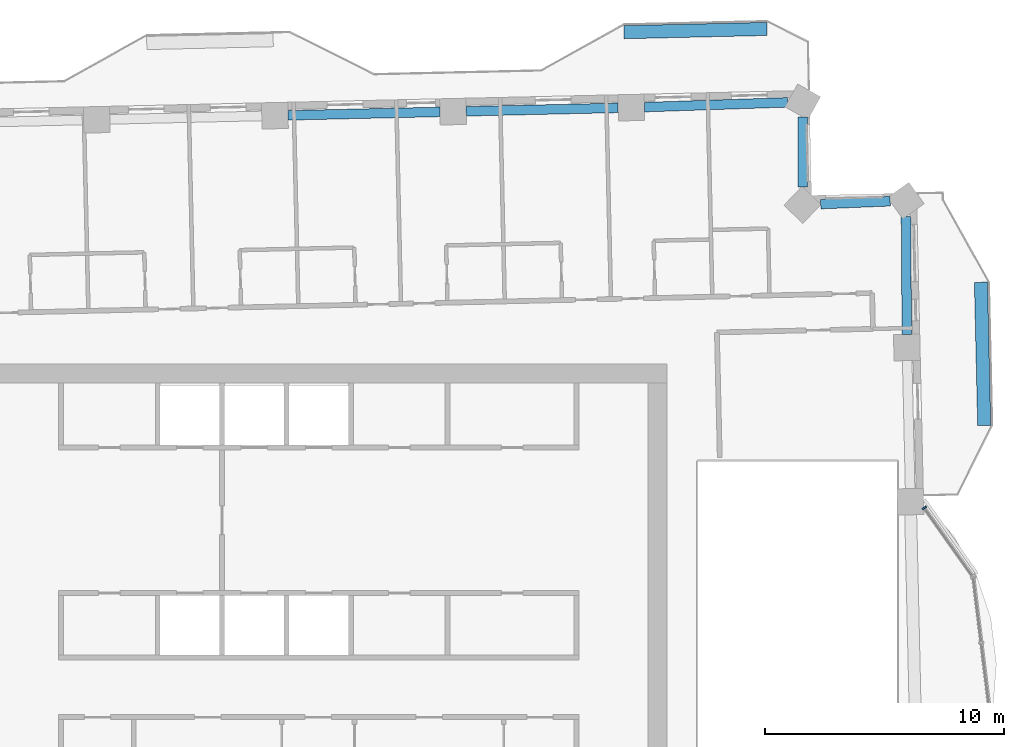
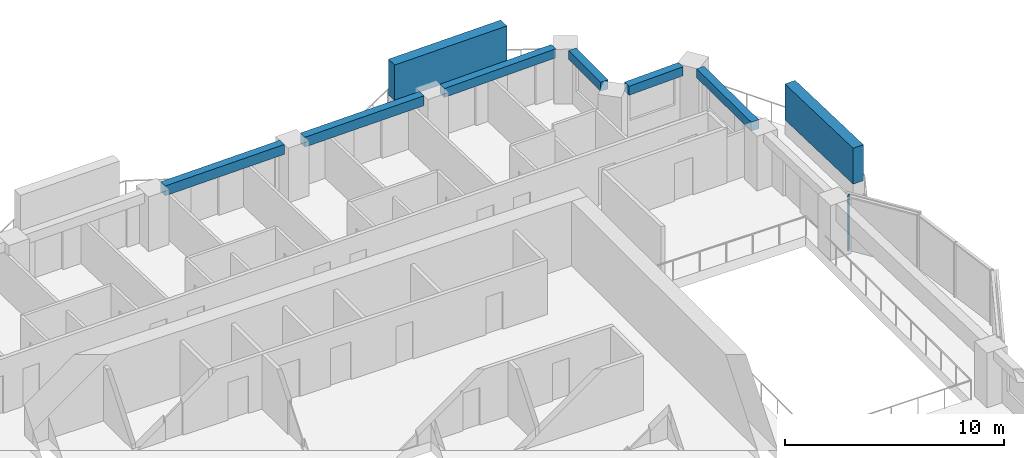
# One storey, part 4 of 16: 6 beams, 3 members, 1 element without a shape of its own.
"""IFC4 building model written with IfcOpenShell, lengths in metres."""

from ifc_helpers import new_model, si_unit, direction, frame, origin, origin_2d, place, context, subcontext, project, spatial, rectangle, extrude, material, material_profile, profile_set, type_object, element, aggregate, save


model = new_model("IFC4")

# Units and contexts
model_context = context("Model", 3, precision=1e-05, world=origin(), true_north=direction((0.0, 1.0)))
body_context = subcontext(model_context, "Body", "Model", "MODEL_VIEW")
ifc_project = project(units=[si_unit("LENGTHUNIT", "METRE"), si_unit("AREAUNIT", "SQUARE_METRE"), si_unit("VOLUMEUNIT", "CUBIC_METRE"), si_unit("PLANEANGLEUNIT", "RADIAN"), si_unit("MASSUNIT", "GRAM", prefix="KILO")], contexts=[model_context])

# Site, building, storey
site_placement = place(None, origin())
site = spatial("IfcSite", under=ifc_project, at=site_placement, CompositionType="ELEMENT")
building_placement = place(site_placement, origin())
building = spatial("IfcBuilding", under=site, at=building_placement, Name="Mangrove Gate Tower", CompositionType="ELEMENT")
storey_placement = place(building_placement, frame((0.0, 0.0, 231.10009765625)))
storey = spatial("IfcBuildingStorey", under=building, at=storey_placement, Name="L58", CompositionType="ELEMENT", Elevation=231.10009765625)

# Curtain wall, member
ifc_material_1 = material(Name="Aluminium and glass curtain wall", Category="aluminium")
curtain_wall_type = type_object("IfcCurtainWallType", Name="Atrium garden-court glazing wall", PredefinedType="NOTDEFINED", material=ifc_material_1)
curtain_wall_placement = place(storey_placement, origin())
curtain_wall = element("IfcCurtainWall", 1, at=curtain_wall_placement, inside=storey, type_object=curtain_wall_type, Name="Atrium garden-court glazing E1f3", PredefinedType="NOTDEFINED")
ifc_material_2 = material(Name="Aluminium alloy 6063-T6", Category="aluminium")
ifc_material_profile_1 = material_profile(ifc_material_2, rectangle(XDim=0.070068359375, YDim=0.199951171875, at=origin_2d()))
ifc_profile_set_1 = profile_set([ifc_material_profile_1], Name="Aluminium alloy 6063-T6")
member_type_1 = type_object("IfcMemberType", Name="Atrium garden-court glazing mullion 70x200", PredefinedType="MULLION", material=ifc_profile_set_1)
member_1_placement = place(storey_placement, frame((25.376708984375, 5.565185546875, 0.0), z_axis=(0.0, 0.0, 1.0), x_axis=(-0.578120908245, 0.815951110944, 0.0)))
member_1 = element("IfcMember", 2, at=member_1_placement, type_object=member_type_1, Name="CWA mullion 2", PredefinedType="MULLION", context=body_context, shape_type="SweptSolid", body=[
    extrude(rectangle(XDim=0.070068359375, YDim=0.199951171875, at=origin_2d()), origin(), (0.0, 0.0, 1.0), 3.0498046875),
])
aggregate(curtain_wall, [member_1])

# Members
ifc_material_3 = material(Name="Planting on aluminium trellis", Category="aluminium")
ifc_material_profile_2 = material_profile(ifc_material_3, rectangle(XDim=0.550048828125, YDim=2.0, at=origin_2d()))
ifc_profile_set_2 = profile_set([ifc_material_profile_2], Name="Planting on aluminium trellis")
member_type_2 = type_object("IfcMemberType", Name="Balcony greenery screen 550x2000", PredefinedType="USERDEFINED", material=ifc_profile_set_2)
member_2_placement = place(storey_placement, frame((27.884033203125, 9.02197265625, 1.7998046875), z_axis=(-0.022665943652, 0.999743094499, 0.0), x_axis=(-0.999743094499, -0.022665943652, 0.0)))
element("IfcMember", 3, at=member_2_placement, inside=storey, type_object=member_type_2, Name="GREEN SCREEN L58 E1.1", ObjectType="PLANTING", PredefinedType="USERDEFINED", context=body_context, shape_type="SweptSolid", body=[
    extrude(rectangle(XDim=0.550048828125, YDim=2.0, at=origin_2d()), origin(), (0.0, 0.0, 1.0), 5.99951171875),
])
member_3_placement = place(storey_placement, frame((12.7880859375, 25.498046875, 1.7998046875), z_axis=(0.999739371644, 0.02282955947, 0.0), x_axis=(-0.02282955947, 0.999739371644, 0.0)))
element("IfcMember", 4, at=member_3_placement, inside=storey, type_object=member_type_2, Name="GREEN SCREEN L58 N0.1", ObjectType="PLANTING", PredefinedType="USERDEFINED", context=body_context, shape_type="SweptSolid", body=[
    extrude(rectangle(XDim=0.550048828125, YDim=2.0, at=origin_2d()), origin(), (0.0, 0.0, 1.0), 5.999267578125),
])

# Beams
ifc_material_4 = material(Name="Concrete C50/60", Category="concrete")
ifc_material_profile_3 = material_profile(ifc_material_4, rectangle(XDim=0.39990234375, YDim=0.5, at=origin_2d()))
ifc_profile_set_3 = profile_set([ifc_material_profile_3], Name="Concrete C50/60")
beam_type_1 = type_object("IfcBeamType", Name="Edge beam RC 400x500 C50/60", PredefinedType="BEAM", material=ifc_profile_set_3)
beam_1_placement = place(storey_placement, frame((24.64013671875, 12.836669921875, 2.7998046875), z_axis=(-0.007080081984, 0.999974935905, 0.0), x_axis=(-0.999974935905, -0.007080081984, 0.0)))
element("IfcBeam", 5, at=beam_1_placement, inside=storey, type_object=beam_type_1, Name="Edge beam L58 16", PredefinedType="BEAM", context=body_context, shape_type="SweptSolid", body=[
    extrude(rectangle(XDim=0.39990234375, YDim=0.5, at=origin_2d()), origin(), (0.0, 0.0, 1.0), 4.93115234375),
])
beam_2_placement = place(storey_placement, frame((23.94384765625, 18.413330078125, 2.7998046875), z_axis=(-0.999157008638, -0.041052065591, 0.0), x_axis=(0.041052065591, -0.999157008638, 0.0)))
element("IfcBeam", 6, at=beam_2_placement, inside=storey, type_object=beam_type_1, Name="Edge beam L58 17", PredefinedType="BEAM", context=body_context, shape_type="SweptSolid", body=[
    extrude(rectangle(XDim=0.39990234375, YDim=0.5, at=origin_2d()), origin(), (0.0, 0.0, 1.0), 2.9140625),
])
beam_3_placement = place(storey_placement, frame((20.27099609375, 19.021240234375, 2.7998046875), z_axis=(0.0027511359, 0.999996215618, 0.0), x_axis=(-0.999996215618, 0.0027511359, 0.0)))
element("IfcBeam", 7, at=beam_3_placement, inside=storey, type_object=beam_type_1, Name="Edge beam L58 18", PredefinedType="BEAM", context=body_context, shape_type="SweptSolid", body=[
    extrude(rectangle(XDim=0.39990234375, YDim=0.5, at=origin_2d()), origin(), (0.0, 0.0, 1.0), 2.928466796875),
])
beam_4_placement = place(storey_placement, frame((19.638671875, 22.557373046875, 2.7998046875), z_axis=(-0.999443957677, -0.033343297134, 0.0), x_axis=(0.033343297134, -0.999443957677, 0.0)))
element("IfcBeam", 8, at=beam_4_placement, inside=storey, type_object=beam_type_1, Name="Edge beam L58 19", PredefinedType="BEAM", context=body_context, shape_type="SweptSolid", body=[
    extrude(rectangle(XDim=0.39990234375, YDim=0.5, at=origin_2d()), origin(), (0.0, 0.0, 1.0), 5.996826171875),
])
ifc_material_5 = material(Name="Concrete C50/60", Category="concrete")
ifc_material_profile_4 = material_profile(ifc_material_5, rectangle(XDim=0.39990234375, YDim=0.550048828125, at=origin_2d()))
ifc_profile_set_4 = profile_set([ifc_material_profile_4], Name="Concrete C50/60")
beam_type_2 = type_object("IfcBeamType", Name="Edge beam RC 400x550 C50/60", PredefinedType="BEAM", material=ifc_profile_set_4)
beam_5_placement = place(storey_placement, frame((12.545654296875, 22.32666015625, 2.77490234375), z_axis=(-0.99974414608, -0.022619513218, 0.0), x_axis=(0.022619513218, -0.99974414608, 0.0)))
element("IfcBeam", 9, at=beam_5_placement, inside=storey, type_object=beam_type_2, Name="Edge beam L58 20", PredefinedType="BEAM", context=body_context, shape_type="SweptSolid", body=[
    extrude(rectangle(XDim=0.39990234375, YDim=0.550048828125, at=origin_2d()), origin(), (0.0, 0.0, 1.0), 6.3681640625),
])
beam_6_placement = place(storey_placement, frame((5.07958984375, 22.15771484375, 2.77490234375), z_axis=(-0.999744126464, -0.02262038022, 0.0), x_axis=(0.02262038022, -0.999744126464, 0.0)))
element("IfcBeam", 10, at=beam_6_placement, inside=storey, type_object=beam_type_2, Name="Edge beam L58 21", PredefinedType="BEAM", context=body_context, shape_type="SweptSolid", body=[
    extrude(rectangle(XDim=0.39990234375, YDim=0.550048828125, at=origin_2d()), origin(), (0.0, 0.0, 1.0), 6.367919921875),
])

save(model, "model.ifc")
